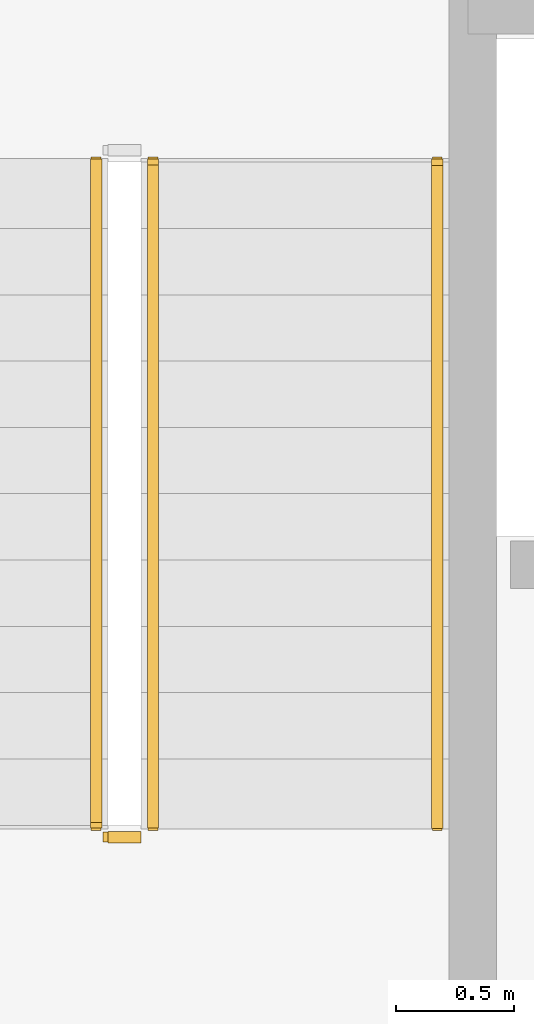
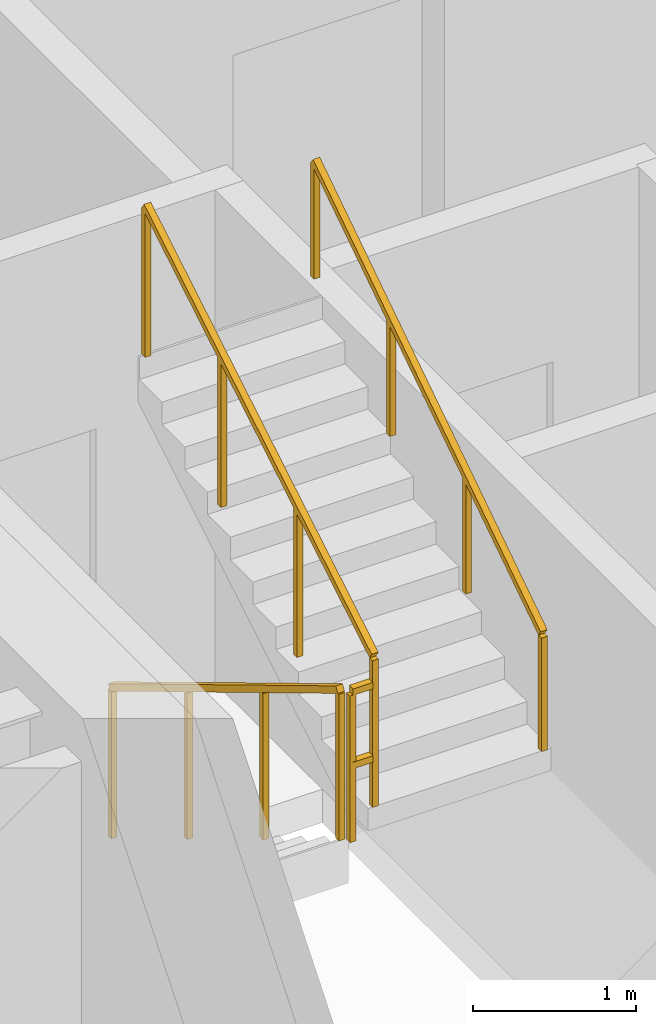
# One storey, part 15 of 19: 4 railings.
"""IFC4 building model written with IfcOpenShell, lengths in metres."""

from ifc_helpers import new_model, si_unit, derived_unit, direction, frame, origin, origin_2d, place, context, subcontext, project, spatial, rectangle, extrude, material, type_object, element, save


model = new_model("IFC4")

# Units and contexts
model_context = context("Model", 3, precision=1e-05, world=origin(), true_north=direction((0.0, 1.0)))
body_context = subcontext(model_context, "Body", "Model", "MODEL_VIEW")
ifc_project = project(units=[si_unit("LENGTHUNIT", "METRE"), si_unit("AREAUNIT", "SQUARE_METRE"), si_unit("VOLUMEUNIT", "CUBIC_METRE"), si_unit("PLANEANGLEUNIT", "RADIAN"), si_unit("MASSUNIT", "GRAM", prefix="KILO"), si_unit("THERMODYNAMICTEMPERATUREUNIT", "KELVIN"), si_unit("POWERUNIT", "WATT"), derived_unit("THERMALTRANSMITTANCEUNIT", [(si_unit("POWERUNIT", "WATT"), 1), (si_unit("AREAUNIT", "SQUARE_METRE"), -1), (si_unit("THERMODYNAMICTEMPERATUREUNIT", "KELVIN"), -1)])], contexts=[model_context])

# Site, building, storey
site_placement = place(None, origin())
site = spatial("IfcSite", under=ifc_project, at=site_placement, CompositionType="ELEMENT")
building_placement = place(site_placement, origin())
building = spatial("IfcBuilding", under=site, at=building_placement, Name="Zahravan Archway Hotel and Residences", CompositionType="ELEMENT")
storey_placement = place(building_placement, frame((0.0, 0.0, 39.800048828125)))
storey = spatial("IfcBuildingStorey", under=building, at=storey_placement, Name="L08", CompositionType="ELEMENT", Elevation=39.800048828125)

# Railings
ifc_material_1 = material(Name="Painted Tubular Steel", Category="steel")
railing_type_1 = type_object("IfcRailingType", Name="RL-STG-1150", PredefinedType="GUARDRAIL", material=ifc_material_1)
railing_1_placement = place(storey_placement, frame((36.550048828125, 9.72998046875, 0.168212890625)))
element("IfcRailing", 1, at=railing_1_placement, inside=storey, type_object=railing_type_1, Name="L08 ST-A1 stair guard 1", PredefinedType="GUARDRAIL", context=body_context, shape_type="SweptSolid", body=[
    extrude(rectangle(XDim=0.048095703125, YDim=0.048095703125, at=origin_2d()), frame((0.0, 0.0, 1.1259765625), z_axis=(0.0, -0.857275202839, 0.514858452973), x_axis=(1.0, 0.0, 0.0)), (0.0, 0.0, 1.0), 3.26611328125),
    extrude(rectangle(XDim=0.0419921875, YDim=0.0419921875, at=origin_2d()), origin(), (0.0, 0.0, 1.0), 1.101806640625),
    extrude(rectangle(XDim=0.0419921875, YDim=0.0419921875, at=origin_2d()), frame((0.0, -0.933349609375, 0.560546875)), (0.0, 0.0, 1.0), 1.101806640625),
    extrude(rectangle(XDim=0.0419921875, YDim=0.0419921875, at=origin_2d()), frame((0.0, -1.86669921875, 1.12109375)), (0.0, 0.0, 1.0), 1.101806640625),
    extrude(rectangle(XDim=0.0419921875, YDim=0.0419921875, at=origin_2d()), frame((0.0, -2.800048828125, 1.681640625)), (0.0, 0.0, 1.0), 1.101806640625),
])
railing_2_placement = place(storey_placement, frame((36.60009765625, 6.8798828125, 1.849853515625)))
element("IfcRailing", 2, at=railing_2_placement, inside=storey, type_object=railing_type_1, Name="L08 ST-A1 stair guard 2", PredefinedType="GUARDRAIL", context=body_context, shape_type="SweptSolid", body=[
    extrude(rectangle(XDim=0.048095703125, YDim=0.048095703125, at=origin_2d()), frame((0.0, 0.0, 1.1259765625), z_axis=(1.0, 0.0, 0.0), x_axis=(0.0, 1.0, 0.0)), (0.0, 0.0, 1.0), 0.139892578125),
    extrude(rectangle(XDim=0.048095703125, YDim=0.048095703125, at=origin_2d()), frame((0.0, 0.0, 0.574951171875), z_axis=(1.0, 0.0, 0.0), x_axis=(0.0, 1.0, 0.0)), (0.0, 0.0, 1.0), 0.139892578125),
    extrude(rectangle(XDim=0.0419921875, YDim=0.0419921875, at=origin_2d()), origin(), (0.0, 0.0, 1.0), 1.101806640625),
])
railing_3_placement = place(storey_placement, frame((36.7900390625, 6.929931640625, 2.01806640625)))
element("IfcRailing", 3, at=railing_3_placement, inside=storey, type_object=railing_type_1, Name="L08 ST-A1 stair guard 3", PredefinedType="GUARDRAIL", context=body_context, shape_type="SweptSolid", body=[
    extrude(rectangle(XDim=0.048095703125, YDim=0.048095703125, at=origin_2d()), frame((0.0, 0.0, 1.1259765625), z_axis=(0.0, 0.857242210791, 0.514913383045), x_axis=(-1.0, 0.0, 0.0)), (0.0, 0.0, 1.0), 3.266357421875),
    extrude(rectangle(XDim=0.0419921875, YDim=0.0419921875, at=origin_2d()), origin(), (0.0, 0.0, 1.0), 1.101806640625),
    extrude(rectangle(XDim=0.0419921875, YDim=0.0419921875, at=origin_2d()), frame((0.0, 0.933349609375, 0.560546875)), (0.0, 0.0, 1.0), 1.101806640625),
    extrude(rectangle(XDim=0.0419921875, YDim=0.0419921875, at=origin_2d()), frame((0.0, 1.86669921875, 1.121337890625)), (0.0, 0.0, 1.0), 1.101806640625),
    extrude(rectangle(XDim=0.0419921875, YDim=0.0419921875, at=origin_2d()), frame((0.0, 2.800048828125, 1.681884765625)), (0.0, 0.0, 1.0), 1.101806640625),
])
ifc_material_2 = material(Name="Brushed Stainless Steel", Category="steel")
railing_type_2 = type_object("IfcRailingType", Name="RL-STH-900", PredefinedType="HANDRAIL", material=ifc_material_2)
railing_4_placement = place(storey_placement, frame((37.989990234375, 6.929931640625, 2.01806640625)))
element("IfcRailing", 4, at=railing_4_placement, inside=storey, type_object=railing_type_2, Name="L08 ST-A1 stair handrail 2", PredefinedType="HANDRAIL", context=body_context, shape_type="SweptSolid", body=[
    extrude(rectangle(XDim=0.048095703125, YDim=0.048095703125, at=origin_2d()), frame((0.0, 0.0, 0.8759765625), z_axis=(0.0, 0.834326358476, 0.551270829586), x_axis=(-1.0, 0.0, 0.0)), (0.0, 0.0, 1.0), 3.35595703125),
    extrude(rectangle(XDim=0.0419921875, YDim=0.0419921875, at=origin_2d()), origin(), (0.0, 0.0, 1.0), 0.851806640625),
    extrude(rectangle(XDim=0.0419921875, YDim=0.0419921875, at=origin_2d()), frame((0.0, 0.933349609375, 0.61669921875)), (0.0, 0.0, 1.0), 0.851806640625),
    extrude(rectangle(XDim=0.0419921875, YDim=0.0419921875, at=origin_2d()), frame((0.0, 1.86669921875, 1.2333984375)), (0.0, 0.0, 1.0), 0.851806640625),
    extrude(rectangle(XDim=0.0419921875, YDim=0.0419921875, at=origin_2d()), frame((0.0, 2.800048828125, 1.85009765625)), (0.0, 0.0, 1.0), 0.851806640625),
])

save(model, "model.ifc")
